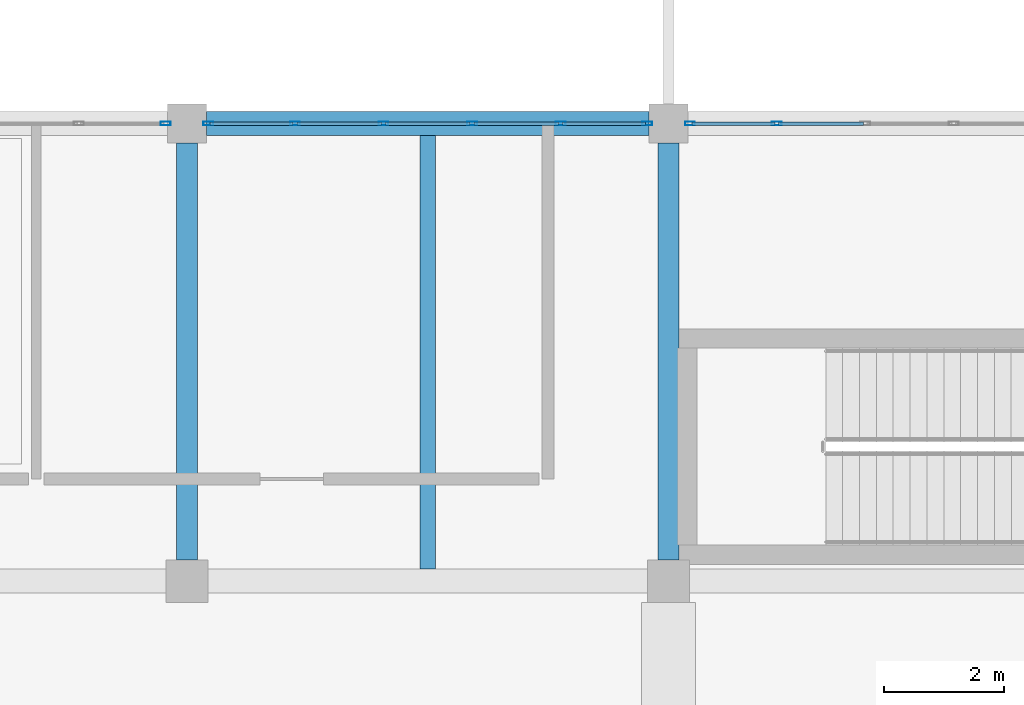
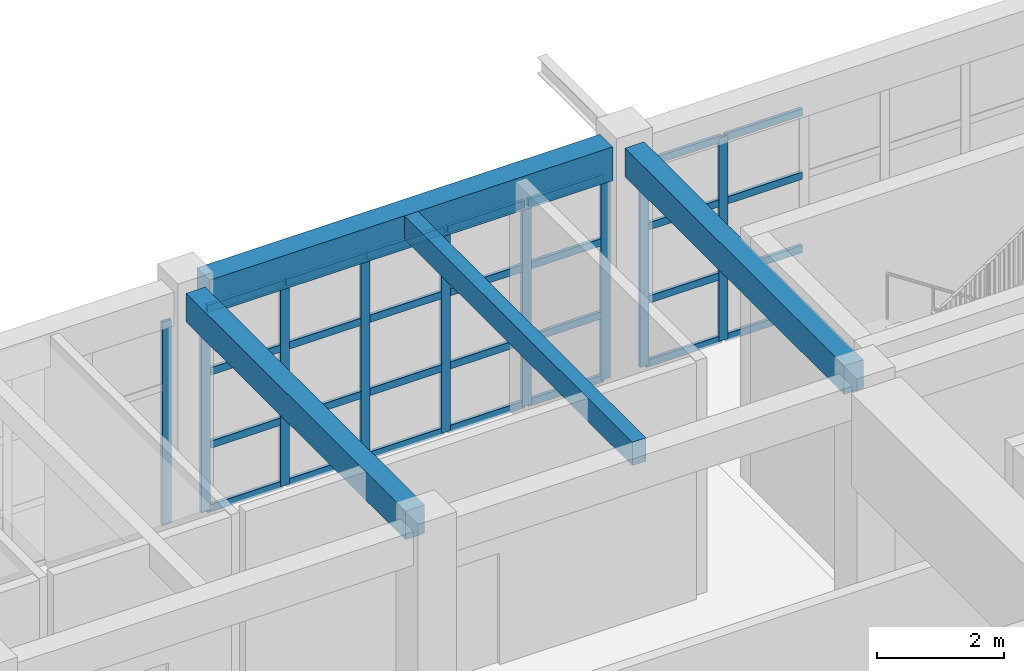
# One storey, part 26 of 50: 37 members, 4 beams, 3 elements without a shape of their own.
"""IFC4 building model written with IfcOpenShell, lengths in metres."""

from ifc_helpers import new_model, si_unit, direction, frame, origin, origin_2d, place, context, subcontext, project, spatial, rectangle, hollow_rectangle, extrude, material, material_profile, profile_set, type_object, element, aggregate, save


model = new_model("IFC4")

# Units and contexts
model_context = context("Model", 3, precision=1e-05, world=origin(), true_north=direction((0.0, 1.0)))
body_context = subcontext(model_context, "Body", "Model", "MODEL_VIEW")
ifc_project = project(units=[si_unit("LENGTHUNIT", "METRE"), si_unit("AREAUNIT", "SQUARE_METRE"), si_unit("VOLUMEUNIT", "CUBIC_METRE"), si_unit("PLANEANGLEUNIT", "RADIAN"), si_unit("MASSUNIT", "GRAM", prefix="KILO")], contexts=[model_context])

# Site, building, storey
site_placement = place(None, origin())
site = spatial("IfcSite", under=ifc_project, at=site_placement, CompositionType="ELEMENT")
building_placement = place(site_placement, origin())
building = spatial("IfcBuilding", under=site, at=building_placement, Name="Zantavel Square City Hall", CompositionType="ELEMENT")
storey_placement = place(building_placement, frame((0.0, 0.0, 18.89990234375)))
storey = spatial("IfcBuildingStorey", under=building, at=storey_placement, Name="L05", CompositionType="ELEMENT", Elevation=18.89990234375)

# Curtain wall, member
ifc_material_1 = material(Name="Anodised aluminium 6063-T6", Category="aluminium")
curtain_wall_type = type_object("IfcCurtainWallType", Name="Curtain Wall TRV1 7350x3920", PredefinedType="USERDEFINED", material=ifc_material_1)
curtain_wall_1_placement = place(storey_placement, origin())
curtain_wall_1 = element("IfcCurtainWall", 1, at=curtain_wall_1_placement, inside=storey, type_object=curtain_wall_type, Name="L05 Glazed Curtain Wall CW-L05-125", ObjectType="GLAZED CURTAIN WALL", PredefinedType="USERDEFINED")
ifc_material_profile_1 = material_profile(ifc_material_1, hollow_rectangle(XDim=0.06005859375, YDim=0.1650390625, WallThickness=0.00390625, at=origin_2d()), Name="ALU 60x165x4")
ifc_profile_set_1 = profile_set([ifc_material_profile_1], Name="Anodised aluminium 6063-T6")
member_type_1 = type_object("IfcMemberType", Name="CW Council Gallery Mullion ALU 60x165x4", PredefinedType="MULLION", material=ifc_profile_set_1)
member_1_placement = place(storey_placement, frame((87.64501953125, 68.39990234375, 0.0), z_axis=(0.0, 0.0, 1.0), x_axis=(0.0, 1.0, 0.0)))
member_1 = element("IfcMember", 2, at=member_1_placement, type_object=member_type_1, Name="CW-125 mullion 6", PredefinedType="MULLION", context=body_context, shape_type="SweptSolid", body=[
    extrude(hollow_rectangle(XDim=0.06005859375, YDim=0.1650390625, WallThickness=0.00390625, at=origin_2d()), origin(), (0.0, 0.0, 1.0), 3.920166015625),
])
aggregate(curtain_wall_1, [member_1])

# Curtain wall, members
curtain_wall_2_placement = place(storey_placement, origin())
curtain_wall_2 = element("IfcCurtainWall", 3, at=curtain_wall_2_placement, inside=storey, type_object=curtain_wall_type, Name="L05 Glazed Curtain Wall CW-L05-126", ObjectType="GLAZED CURTAIN WALL", PredefinedType="USERDEFINED")
member_2_placement = place(storey_placement, frame((88.35498046875, 68.39990234375, 0.0), z_axis=(0.0, 0.0, 1.0), x_axis=(0.0, 1.0, 0.0)))
member_2 = element("IfcMember", 4, at=member_2_placement, type_object=member_type_1, Name="CW-126 mullion 1", PredefinedType="MULLION", context=body_context, shape_type="SweptSolid", body=[
    extrude(hollow_rectangle(XDim=0.06005859375, YDim=0.1650390625, WallThickness=0.00390625, at=origin_2d()), origin(), (0.0, 0.0, 1.0), 3.920166015625),
])
member_3_placement = place(storey_placement, frame((89.794921875, 68.39990234375, 0.0), z_axis=(0.0, 0.0, 1.0), x_axis=(0.0, 1.0, 0.0)))
member_3 = element("IfcMember", 5, at=member_3_placement, type_object=member_type_1, Name="CW-126 mullion 2", PredefinedType="MULLION", context=body_context, shape_type="SweptSolid", body=[
    extrude(hollow_rectangle(XDim=0.06005859375, YDim=0.1650390625, WallThickness=0.00390625, at=origin_2d()), origin(), (0.0, 0.0, 1.0), 3.920166015625),
])
member_4_placement = place(storey_placement, frame((91.264892578125, 68.39990234375, 0.0), z_axis=(0.0, 0.0, 1.0), x_axis=(0.0, 1.0, 0.0)))
member_4 = element("IfcMember", 6, at=member_4_placement, type_object=member_type_1, Name="CW-126 mullion 3", PredefinedType="MULLION", context=body_context, shape_type="SweptSolid", body=[
    extrude(hollow_rectangle(XDim=0.06005859375, YDim=0.1650390625, WallThickness=0.00390625, at=origin_2d()), origin(), (0.0, 0.0, 1.0), 3.920166015625),
])
member_5_placement = place(storey_placement, frame((92.735107421875, 68.39990234375, 0.0), z_axis=(0.0, 0.0, 1.0), x_axis=(0.0, 1.0, 0.0)))
member_5 = element("IfcMember", 7, at=member_5_placement, type_object=member_type_1, Name="CW-126 mullion 4", PredefinedType="MULLION", context=body_context, shape_type="SweptSolid", body=[
    extrude(hollow_rectangle(XDim=0.06005859375, YDim=0.1650390625, WallThickness=0.00390625, at=origin_2d()), origin(), (0.0, 0.0, 1.0), 3.920166015625),
])
member_6_placement = place(storey_placement, frame((94.205078125, 68.39990234375, 0.0), z_axis=(0.0, 0.0, 1.0), x_axis=(0.0, 1.0, 0.0)))
member_6 = element("IfcMember", 8, at=member_6_placement, type_object=member_type_1, Name="CW-126 mullion 5", PredefinedType="MULLION", context=body_context, shape_type="SweptSolid", body=[
    extrude(hollow_rectangle(XDim=0.06005859375, YDim=0.1650390625, WallThickness=0.00390625, at=origin_2d()), origin(), (0.0, 0.0, 1.0), 3.920166015625),
])
member_7_placement = place(storey_placement, frame((95.64501953125, 68.39990234375, 0.0), z_axis=(0.0, 0.0, 1.0), x_axis=(0.0, 1.0, 0.0)))
member_7 = element("IfcMember", 9, at=member_7_placement, type_object=member_type_1, Name="CW-126 mullion 6", PredefinedType="MULLION", context=body_context, shape_type="SweptSolid", body=[
    extrude(hollow_rectangle(XDim=0.06005859375, YDim=0.1650390625, WallThickness=0.00390625, at=origin_2d()), origin(), (0.0, 0.0, 1.0), 3.920166015625),
])

curtain_wall_3_placement = place(storey_placement, origin())
curtain_wall_3 = element("IfcCurtainWall", 10, at=curtain_wall_3_placement, inside=storey, type_object=curtain_wall_type, Name="L05 Glazed Curtain Wall CW-L05-127", ObjectType="GLAZED CURTAIN WALL", PredefinedType="USERDEFINED")
member_8_placement = place(storey_placement, frame((96.35498046875, 68.39990234375, 0.0), z_axis=(0.0, 0.0, 1.0), x_axis=(0.0, 1.0, 0.0)))
member_8 = element("IfcMember", 11, at=member_8_placement, type_object=member_type_1, Name="CW-127 mullion 1", PredefinedType="MULLION", context=body_context, shape_type="SweptSolid", body=[
    extrude(hollow_rectangle(XDim=0.06005859375, YDim=0.1650390625, WallThickness=0.00390625, at=origin_2d()), origin(), (0.0, 0.0, 1.0), 3.920166015625),
])
member_9_placement = place(storey_placement, frame((97.794921875, 68.39990234375, 0.0), z_axis=(0.0, 0.0, 1.0), x_axis=(0.0, 1.0, 0.0)))
member_9 = element("IfcMember", 12, at=member_9_placement, type_object=member_type_1, Name="CW-127 mullion 2", PredefinedType="MULLION", context=body_context, shape_type="SweptSolid", body=[
    extrude(hollow_rectangle(XDim=0.06005859375, YDim=0.1650390625, WallThickness=0.00390625, at=origin_2d()), origin(), (0.0, 0.0, 1.0), 3.920166015625),
])

# Member
ifc_material_profile_2 = material_profile(ifc_material_1, hollow_rectangle(XDim=0.06005859375, YDim=0.139892578125, WallThickness=0.00390625, at=origin_2d()), Name="ALU 60x140x4")
ifc_profile_set_2 = profile_set([ifc_material_profile_2], Name="Anodised aluminium 6063-T6")
member_type_2 = type_object("IfcMemberType", Name="CW Transom ALU 60x140x4", PredefinedType="USERDEFINED", material=ifc_profile_set_2)
member_10_placement = place(storey_placement, frame((88.385009765625, 68.39990234375, 0.030029296875), z_axis=(1.0, 0.0, 0.0), x_axis=(0.0, 1.0, 0.0)))
member_10 = element("IfcMember", 13, at=member_10_placement, type_object=member_type_2, Name="CW-126 transom 1.1", ObjectType="TRANSOM", PredefinedType="USERDEFINED", context=body_context, shape_type="SweptSolid", body=[
    extrude(hollow_rectangle(XDim=0.06005859375, YDim=0.139892578125, WallThickness=0.00390625, at=origin_2d()), origin(), (0.0, 0.0, 1.0), 1.3798828125),
])

member_11_placement = place(storey_placement, frame((88.385009765625, 68.39990234375, 1.254150390625), z_axis=(1.0, 0.0, 0.0), x_axis=(0.0, 1.0, 0.0)))
member_11 = element("IfcMember", 14, at=member_11_placement, type_object=member_type_2, Name="CW-126 transom 1.2", ObjectType="TRANSOM", PredefinedType="USERDEFINED", context=body_context, shape_type="SweptSolid", body=[
    extrude(hollow_rectangle(XDim=0.06005859375, YDim=0.139892578125, WallThickness=0.00390625, at=origin_2d()), origin(), (0.0, 0.0, 1.0), 1.3798828125),
])

member_12_placement = place(storey_placement, frame((88.385009765625, 68.39990234375, 2.666015625), z_axis=(1.0, 0.0, 0.0), x_axis=(0.0, 1.0, 0.0)))
member_12 = element("IfcMember", 15, at=member_12_placement, type_object=member_type_2, Name="CW-126 transom 1.3", ObjectType="TRANSOM", PredefinedType="USERDEFINED", context=body_context, shape_type="SweptSolid", body=[
    extrude(hollow_rectangle(XDim=0.06005859375, YDim=0.139892578125, WallThickness=0.00390625, at=origin_2d()), origin(), (0.0, 0.0, 1.0), 1.3798828125),
])

member_13_placement = place(storey_placement, frame((88.385009765625, 68.39990234375, 3.89013671875), z_axis=(1.0, 0.0, 0.0), x_axis=(0.0, 1.0, 0.0)))
member_13 = element("IfcMember", 16, at=member_13_placement, type_object=member_type_2, Name="CW-126 transom 1.4", ObjectType="TRANSOM", PredefinedType="USERDEFINED", context=body_context, shape_type="SweptSolid", body=[
    extrude(hollow_rectangle(XDim=0.06005859375, YDim=0.139892578125, WallThickness=0.00390625, at=origin_2d()), origin(), (0.0, 0.0, 1.0), 1.3798828125),
])

member_14_placement = place(storey_placement, frame((89.824951171875, 68.39990234375, 0.030029296875), z_axis=(1.0, 0.0, 0.0), x_axis=(0.0, 1.0, 0.0)))
member_14 = element("IfcMember", 17, at=member_14_placement, type_object=member_type_2, Name="CW-126 transom 2.1", ObjectType="TRANSOM", PredefinedType="USERDEFINED", context=body_context, shape_type="SweptSolid", body=[
    extrude(hollow_rectangle(XDim=0.06005859375, YDim=0.139892578125, WallThickness=0.00390625, at=origin_2d()), origin(), (0.0, 0.0, 1.0), 1.41015625),
])

member_15_placement = place(storey_placement, frame((89.824951171875, 68.39990234375, 1.254150390625), z_axis=(1.0, 0.0, 0.0), x_axis=(0.0, 1.0, 0.0)))
member_15 = element("IfcMember", 18, at=member_15_placement, type_object=member_type_2, Name="CW-126 transom 2.2", ObjectType="TRANSOM", PredefinedType="USERDEFINED", context=body_context, shape_type="SweptSolid", body=[
    extrude(hollow_rectangle(XDim=0.06005859375, YDim=0.139892578125, WallThickness=0.00390625, at=origin_2d()), origin(), (0.0, 0.0, 1.0), 1.41015625),
])

member_16_placement = place(storey_placement, frame((89.824951171875, 68.39990234375, 2.666015625), z_axis=(1.0, 0.0, 0.0), x_axis=(0.0, 1.0, 0.0)))
member_16 = element("IfcMember", 19, at=member_16_placement, type_object=member_type_2, Name="CW-126 transom 2.3", ObjectType="TRANSOM", PredefinedType="USERDEFINED", context=body_context, shape_type="SweptSolid", body=[
    extrude(hollow_rectangle(XDim=0.06005859375, YDim=0.139892578125, WallThickness=0.00390625, at=origin_2d()), origin(), (0.0, 0.0, 1.0), 1.41015625),
])

member_17_placement = place(storey_placement, frame((89.824951171875, 68.39990234375, 3.89013671875), z_axis=(1.0, 0.0, 0.0), x_axis=(0.0, 1.0, 0.0)))
member_17 = element("IfcMember", 20, at=member_17_placement, type_object=member_type_2, Name="CW-126 transom 2.4", ObjectType="TRANSOM", PredefinedType="USERDEFINED", context=body_context, shape_type="SweptSolid", body=[
    extrude(hollow_rectangle(XDim=0.06005859375, YDim=0.139892578125, WallThickness=0.00390625, at=origin_2d()), origin(), (0.0, 0.0, 1.0), 1.41015625),
])

member_18_placement = place(storey_placement, frame((91.294921875, 68.39990234375, 0.030029296875), z_axis=(1.0, 0.0, 0.0), x_axis=(0.0, 1.0, 0.0)))
member_18 = element("IfcMember", 21, at=member_18_placement, type_object=member_type_2, Name="CW-126 transom 3.1", ObjectType="TRANSOM", PredefinedType="USERDEFINED", context=body_context, shape_type="SweptSolid", body=[
    extrude(hollow_rectangle(XDim=0.06005859375, YDim=0.139892578125, WallThickness=0.00390625, at=origin_2d()), origin(), (0.0, 0.0, 1.0), 1.41015625),
])

member_19_placement = place(storey_placement, frame((91.294921875, 68.39990234375, 1.254150390625), z_axis=(1.0, 0.0, 0.0), x_axis=(0.0, 1.0, 0.0)))
member_19 = element("IfcMember", 22, at=member_19_placement, type_object=member_type_2, Name="CW-126 transom 3.2", ObjectType="TRANSOM", PredefinedType="USERDEFINED", context=body_context, shape_type="SweptSolid", body=[
    extrude(hollow_rectangle(XDim=0.06005859375, YDim=0.139892578125, WallThickness=0.00390625, at=origin_2d()), origin(), (0.0, 0.0, 1.0), 1.41015625),
])

member_20_placement = place(storey_placement, frame((91.294921875, 68.39990234375, 2.666015625), z_axis=(1.0, 0.0, 0.0), x_axis=(0.0, 1.0, 0.0)))
member_20 = element("IfcMember", 23, at=member_20_placement, type_object=member_type_2, Name="CW-126 transom 3.3", ObjectType="TRANSOM", PredefinedType="USERDEFINED", context=body_context, shape_type="SweptSolid", body=[
    extrude(hollow_rectangle(XDim=0.06005859375, YDim=0.139892578125, WallThickness=0.00390625, at=origin_2d()), origin(), (0.0, 0.0, 1.0), 1.41015625),
])

member_21_placement = place(storey_placement, frame((91.294921875, 68.39990234375, 3.89013671875), z_axis=(1.0, 0.0, 0.0), x_axis=(0.0, 1.0, 0.0)))
member_21 = element("IfcMember", 24, at=member_21_placement, type_object=member_type_2, Name="CW-126 transom 3.4", ObjectType="TRANSOM", PredefinedType="USERDEFINED", context=body_context, shape_type="SweptSolid", body=[
    extrude(hollow_rectangle(XDim=0.06005859375, YDim=0.139892578125, WallThickness=0.00390625, at=origin_2d()), origin(), (0.0, 0.0, 1.0), 1.41015625),
])

member_22_placement = place(storey_placement, frame((92.764892578125, 68.39990234375, 0.030029296875), z_axis=(1.0, 0.0, 0.0), x_axis=(0.0, 1.0, 0.0)))
member_22 = element("IfcMember", 25, at=member_22_placement, type_object=member_type_2, Name="CW-126 transom 4.1", ObjectType="TRANSOM", PredefinedType="USERDEFINED", context=body_context, shape_type="SweptSolid", body=[
    extrude(hollow_rectangle(XDim=0.06005859375, YDim=0.139892578125, WallThickness=0.00390625, at=origin_2d()), origin(), (0.0, 0.0, 1.0), 1.41015625),
])

member_23_placement = place(storey_placement, frame((92.764892578125, 68.39990234375, 1.254150390625), z_axis=(1.0, 0.0, 0.0), x_axis=(0.0, 1.0, 0.0)))
member_23 = element("IfcMember", 26, at=member_23_placement, type_object=member_type_2, Name="CW-126 transom 4.2", ObjectType="TRANSOM", PredefinedType="USERDEFINED", context=body_context, shape_type="SweptSolid", body=[
    extrude(hollow_rectangle(XDim=0.06005859375, YDim=0.139892578125, WallThickness=0.00390625, at=origin_2d()), origin(), (0.0, 0.0, 1.0), 1.41015625),
])

member_24_placement = place(storey_placement, frame((92.764892578125, 68.39990234375, 2.666015625), z_axis=(1.0, 0.0, 0.0), x_axis=(0.0, 1.0, 0.0)))
member_24 = element("IfcMember", 27, at=member_24_placement, type_object=member_type_2, Name="CW-126 transom 4.3", ObjectType="TRANSOM", PredefinedType="USERDEFINED", context=body_context, shape_type="SweptSolid", body=[
    extrude(hollow_rectangle(XDim=0.06005859375, YDim=0.139892578125, WallThickness=0.00390625, at=origin_2d()), origin(), (0.0, 0.0, 1.0), 1.41015625),
])

member_25_placement = place(storey_placement, frame((92.764892578125, 68.39990234375, 3.89013671875), z_axis=(1.0, 0.0, 0.0), x_axis=(0.0, 1.0, 0.0)))
member_25 = element("IfcMember", 28, at=member_25_placement, type_object=member_type_2, Name="CW-126 transom 4.4", ObjectType="TRANSOM", PredefinedType="USERDEFINED", context=body_context, shape_type="SweptSolid", body=[
    extrude(hollow_rectangle(XDim=0.06005859375, YDim=0.139892578125, WallThickness=0.00390625, at=origin_2d()), origin(), (0.0, 0.0, 1.0), 1.41015625),
])

member_26_placement = place(storey_placement, frame((94.235107421875, 68.39990234375, 0.030029296875), z_axis=(1.0, 0.0, 0.0), x_axis=(0.0, 1.0, 0.0)))
member_26 = element("IfcMember", 29, at=member_26_placement, type_object=member_type_2, Name="CW-126 transom 5.1", ObjectType="TRANSOM", PredefinedType="USERDEFINED", context=body_context, shape_type="SweptSolid", body=[
    extrude(hollow_rectangle(XDim=0.06005859375, YDim=0.139892578125, WallThickness=0.00390625, at=origin_2d()), origin(), (0.0, 0.0, 1.0), 1.3798828125),
])

member_27_placement = place(storey_placement, frame((94.235107421875, 68.39990234375, 1.254150390625), z_axis=(1.0, 0.0, 0.0), x_axis=(0.0, 1.0, 0.0)))
member_27 = element("IfcMember", 30, at=member_27_placement, type_object=member_type_2, Name="CW-126 transom 5.2", ObjectType="TRANSOM", PredefinedType="USERDEFINED", context=body_context, shape_type="SweptSolid", body=[
    extrude(hollow_rectangle(XDim=0.06005859375, YDim=0.139892578125, WallThickness=0.00390625, at=origin_2d()), origin(), (0.0, 0.0, 1.0), 1.3798828125),
])

member_28_placement = place(storey_placement, frame((94.235107421875, 68.39990234375, 2.666015625), z_axis=(1.0, 0.0, 0.0), x_axis=(0.0, 1.0, 0.0)))
member_28 = element("IfcMember", 31, at=member_28_placement, type_object=member_type_2, Name="CW-126 transom 5.3", ObjectType="TRANSOM", PredefinedType="USERDEFINED", context=body_context, shape_type="SweptSolid", body=[
    extrude(hollow_rectangle(XDim=0.06005859375, YDim=0.139892578125, WallThickness=0.00390625, at=origin_2d()), origin(), (0.0, 0.0, 1.0), 1.3798828125),
])

member_29_placement = place(storey_placement, frame((94.235107421875, 68.39990234375, 3.89013671875), z_axis=(1.0, 0.0, 0.0), x_axis=(0.0, 1.0, 0.0)))
member_29 = element("IfcMember", 32, at=member_29_placement, type_object=member_type_2, Name="CW-126 transom 5.4", ObjectType="TRANSOM", PredefinedType="USERDEFINED", context=body_context, shape_type="SweptSolid", body=[
    extrude(hollow_rectangle(XDim=0.06005859375, YDim=0.139892578125, WallThickness=0.00390625, at=origin_2d()), origin(), (0.0, 0.0, 1.0), 1.3798828125),
])

aggregate(curtain_wall_2, [member_2, member_3, member_4, member_5, member_6, member_7, member_10, member_11, member_12, member_13, member_14, member_15, member_16, member_17, member_18, member_19, member_20, member_21, member_22, member_23, member_24, member_25, member_26, member_27, member_28, member_29])

member_30_placement = place(storey_placement, frame((96.385009765625, 68.39990234375, 0.030029296875), z_axis=(1.0, 0.0, 0.0), x_axis=(0.0, 1.0, 0.0)))
member_30 = element("IfcMember", 33, at=member_30_placement, type_object=member_type_2, Name="CW-127 transom 1.1", ObjectType="TRANSOM", PredefinedType="USERDEFINED", context=body_context, shape_type="SweptSolid", body=[
    extrude(hollow_rectangle(XDim=0.06005859375, YDim=0.139892578125, WallThickness=0.00390625, at=origin_2d()), origin(), (0.0, 0.0, 1.0), 1.3798828125),
])

member_31_placement = place(storey_placement, frame((96.385009765625, 68.39990234375, 1.254150390625), z_axis=(1.0, 0.0, 0.0), x_axis=(0.0, 1.0, 0.0)))
member_31 = element("IfcMember", 34, at=member_31_placement, type_object=member_type_2, Name="CW-127 transom 1.2", ObjectType="TRANSOM", PredefinedType="USERDEFINED", context=body_context, shape_type="SweptSolid", body=[
    extrude(hollow_rectangle(XDim=0.06005859375, YDim=0.139892578125, WallThickness=0.00390625, at=origin_2d()), origin(), (0.0, 0.0, 1.0), 1.3798828125),
])

member_32_placement = place(storey_placement, frame((96.385009765625, 68.39990234375, 2.666015625), z_axis=(1.0, 0.0, 0.0), x_axis=(0.0, 1.0, 0.0)))
member_32 = element("IfcMember", 35, at=member_32_placement, type_object=member_type_2, Name="CW-127 transom 1.3", ObjectType="TRANSOM", PredefinedType="USERDEFINED", context=body_context, shape_type="SweptSolid", body=[
    extrude(hollow_rectangle(XDim=0.06005859375, YDim=0.139892578125, WallThickness=0.00390625, at=origin_2d()), origin(), (0.0, 0.0, 1.0), 1.3798828125),
])

member_33_placement = place(storey_placement, frame((96.385009765625, 68.39990234375, 3.89013671875), z_axis=(1.0, 0.0, 0.0), x_axis=(0.0, 1.0, 0.0)))
member_33 = element("IfcMember", 36, at=member_33_placement, type_object=member_type_2, Name="CW-127 transom 1.4", ObjectType="TRANSOM", PredefinedType="USERDEFINED", context=body_context, shape_type="SweptSolid", body=[
    extrude(hollow_rectangle(XDim=0.06005859375, YDim=0.139892578125, WallThickness=0.00390625, at=origin_2d()), origin(), (0.0, 0.0, 1.0), 1.3798828125),
])

member_34_placement = place(storey_placement, frame((97.824951171875, 68.39990234375, 0.030029296875), z_axis=(1.0, 0.0, 0.0), x_axis=(0.0, 1.0, 0.0)))
member_34 = element("IfcMember", 37, at=member_34_placement, type_object=member_type_2, Name="CW-127 transom 2.1", ObjectType="TRANSOM", PredefinedType="USERDEFINED", context=body_context, shape_type="SweptSolid", body=[
    extrude(hollow_rectangle(XDim=0.06005859375, YDim=0.139892578125, WallThickness=0.00390625, at=origin_2d()), origin(), (0.0, 0.0, 1.0), 1.41015625),
])

member_35_placement = place(storey_placement, frame((97.824951171875, 68.39990234375, 1.254150390625), z_axis=(1.0, 0.0, 0.0), x_axis=(0.0, 1.0, 0.0)))
member_35 = element("IfcMember", 38, at=member_35_placement, type_object=member_type_2, Name="CW-127 transom 2.2", ObjectType="TRANSOM", PredefinedType="USERDEFINED", context=body_context, shape_type="SweptSolid", body=[
    extrude(hollow_rectangle(XDim=0.06005859375, YDim=0.139892578125, WallThickness=0.00390625, at=origin_2d()), origin(), (0.0, 0.0, 1.0), 1.41015625),
])

member_36_placement = place(storey_placement, frame((97.824951171875, 68.39990234375, 2.666015625), z_axis=(1.0, 0.0, 0.0), x_axis=(0.0, 1.0, 0.0)))
member_36 = element("IfcMember", 39, at=member_36_placement, type_object=member_type_2, Name="CW-127 transom 2.3", ObjectType="TRANSOM", PredefinedType="USERDEFINED", context=body_context, shape_type="SweptSolid", body=[
    extrude(hollow_rectangle(XDim=0.06005859375, YDim=0.139892578125, WallThickness=0.00390625, at=origin_2d()), origin(), (0.0, 0.0, 1.0), 1.41015625),
])

member_37_placement = place(storey_placement, frame((97.824951171875, 68.39990234375, 3.89013671875), z_axis=(1.0, 0.0, 0.0), x_axis=(0.0, 1.0, 0.0)))
member_37 = element("IfcMember", 40, at=member_37_placement, type_object=member_type_2, Name="CW-127 transom 2.4", ObjectType="TRANSOM", PredefinedType="USERDEFINED", context=body_context, shape_type="SweptSolid", body=[
    extrude(hollow_rectangle(XDim=0.06005859375, YDim=0.139892578125, WallThickness=0.00390625, at=origin_2d()), origin(), (0.0, 0.0, 1.0), 1.41015625),
])

aggregate(curtain_wall_3, [member_8, member_9, member_30, member_31, member_32, member_33, member_34, member_35, member_36, member_37])

# Beams
ifc_material_2 = material(Name="Concrete C35/45", Category="concrete")
ifc_material_profile_3 = material_profile(ifc_material_2, rectangle(XDim=0.39990234375, YDim=0.64990234375, at=origin_2d()), Name="RC 400x650")
ifc_profile_set_3 = profile_set([ifc_material_profile_3], Name="Concrete C35/45")
beam_type_1 = type_object("IfcBeamType", Name="Frame Beam RC 400x650 C35/45", PredefinedType="BEAM", material=ifc_profile_set_3)
beam_1_placement = place(storey_placement, frame((88.324951171875, 68.39990234375, 4.2451171875), z_axis=(1.0, 0.0, 0.0), x_axis=(0.0, 1.0, 0.0)))
element("IfcBeam", 41, at=beam_1_placement, inside=storey, type_object=beam_type_1, Name="L05 Girder BMX-L05-0880-0684", PredefinedType="BEAM", context=body_context, shape_type="SweptSolid", body=[
    extrude(rectangle(XDim=0.39990234375, YDim=0.64990234375, at=origin_2d()), origin(), (0.0, 0.0, 1.0), 7.35009765625),
])
ifc_material_profile_4 = material_profile(ifc_material_2, rectangle(XDim=0.25, YDim=0.449951171875, at=origin_2d()), Name="RC 250x450")
ifc_profile_set_4 = profile_set([ifc_material_profile_4], Name="Concrete C35/45")
beam_type_2 = type_object("IfcBeamType", Name="Light Floor Joist RC 250x450 C35/45", PredefinedType="JOIST", material=ifc_profile_set_4)
beam_2_placement = place(storey_placement, frame((92.0, 61.0, 4.34521484375), z_axis=(0.0, 1.0, 0.0), x_axis=(-1.0, 0.0, 0.0)))
element("IfcBeam", 42, at=beam_2_placement, inside=storey, type_object=beam_type_2, Name="L05 Floor Joist JST-L05-0920-0608", PredefinedType="JOIST", context=body_context, shape_type="SweptSolid", body=[
    extrude(rectangle(XDim=0.25, YDim=0.449951171875, at=origin_2d()), origin(), (0.0, 0.0, 1.0), 7.199951171875),
])
ifc_material_profile_5 = material_profile(ifc_material_2, rectangle(XDim=0.35009765625, YDim=0.550048828125, at=origin_2d()), Name="RC 350x550")
ifc_profile_set_5 = profile_set([ifc_material_profile_5], Name="Concrete C35/45")
beam_type_3 = type_object("IfcBeamType", Name="Secondary Beam RC 350x550 C35/45", PredefinedType="BEAM", material=ifc_profile_set_5)
for number, where, z_axis, x_axis, name in (
    (43, (88.0, 61.14990234375, 4.295166015625), (0.0, 1.0, 0.0), (-1.0, 0.0, 0.0), "L05 Beam BMY-L05-0880-0608"),
    (44, (96.0, 61.14990234375, 4.295166015625), (0.0, 1.0, 0.0), (-1.0, 0.0, 0.0), "L05 Beam BMY-L05-0960-0608"),
):
    element("IfcBeam", number, at=place(storey_placement, frame(where, z_axis=z_axis, x_axis=x_axis)), inside=storey, type_object=beam_type_3, Name=name, PredefinedType="BEAM", context=body_context, shape_type="SweptSolid", body=[
        extrude(rectangle(XDim=0.35009765625, YDim=0.550048828125, at=origin_2d()), origin(), (0.0, 0.0, 1.0), 6.925048828125),
    ])

save(model, "model.ifc")
